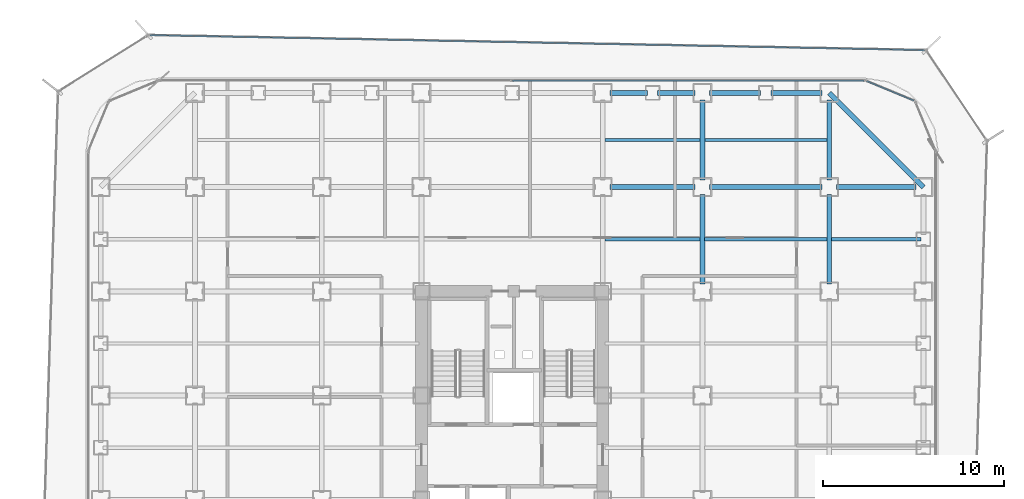
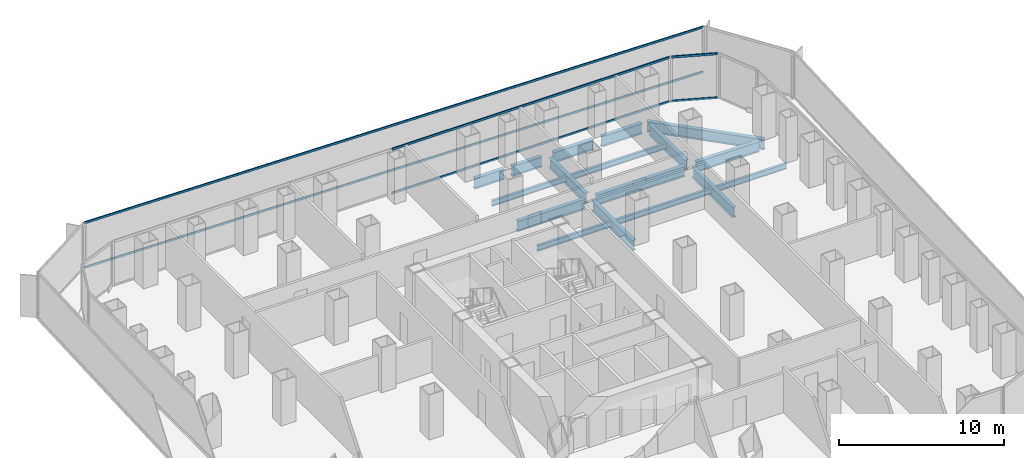
# One storey, part 14 of 22: 17 beams, 6 members, 3 elements without a shape of their own.
"""IFC4 building model written with IfcOpenShell, lengths in metres."""

from ifc_helpers import new_model, si_unit, direction, frame, origin, origin_2d, place, context, subcontext, project, spatial, hollow_rectangle, i_section, extrude, source, transform, mapped, material, layer, layer_set, material_profile, profile_set, type_object, element, aggregate, save


model = new_model("IFC4")

# Units and contexts
model_context = context("Model", 3, precision=1e-05, world=origin(), true_north=direction((0.0, 1.0)))
body_context = subcontext(model_context, "Body", "Model", "MODEL_VIEW")
ifc_project = project(units=[si_unit("LENGTHUNIT", "METRE"), si_unit("AREAUNIT", "SQUARE_METRE"), si_unit("VOLUMEUNIT", "CUBIC_METRE"), si_unit("PLANEANGLEUNIT", "RADIAN"), si_unit("MASSUNIT", "GRAM", prefix="KILO")], contexts=[model_context])

# Site, building, storey
site_placement = place(None, origin())
site = spatial("IfcSite", under=ifc_project, at=site_placement, CompositionType="ELEMENT")
building_placement = place(site_placement, origin())
building = spatial("IfcBuilding", under=site, at=building_placement, Name="Kolveth Station Tower", CompositionType="ELEMENT")
storey_placement = place(building_placement, frame((0.0, 0.0, 69.300048828125)))
storey = spatial("IfcBuildingStorey", under=building, at=storey_placement, Name="L18", CompositionType="ELEMENT", Elevation=69.300048828125)

# Beams
ifc_material_1 = material(Name="Steel S355", Category="steel")
ifc_material_profile_1 = material_profile(ifc_material_1, i_section(OverallWidth=0.26904296875, OverallDepth=0.77490234375, WebThickness=0.01708984375, FlangeThickness=0.0283203125, at=origin_2d()), Name="W760x220")
ifc_profile_set_1 = profile_set([ifc_material_profile_1], Name="Steel S355")
beam_type_1 = type_object("IfcBeamType", Name="Beam_SP1", PredefinedType="SPANDREL", material=ifc_profile_set_1)
shared_shape_1 = source(origin(), body_context, "Body", "SweptSolid", [
    extrude(i_section(OverallWidth=0.26904296875, OverallDepth=0.77490234375, WebThickness=0.01708984375, FlangeThickness=0.0283203125, at=origin_2d()), origin(), (0.0, 0.0, 1.0), 7.353759765625),
])
beam_1_placement = place(storey_placement, frame((46.199951171875, 34.5, -0.66748046875), z_axis=(-0.707106781187, 0.707106781187, 0.0), x_axis=(-0.707106781187, -0.707106781187, 0.0)))
element("IfcBeam", 1, at=beam_1_placement, inside=storey, type_object=beam_type_1, Name="L18 Corner Edge Girder BM-L18-CNR-NE", PredefinedType="SPANDREL", context=body_context, shape_type="MappedRepresentation", body=[
    mapped(shared_shape_1, transform((0.0, 0.0, 0.0), x_axis=(1.0, 0.0, 0.0), y_axis=(0.0, 1.0, 0.0), z_axis=(0.0, 0.0, 1.0), scale=1.0)),
])
shared_shape_2 = source(origin(), body_context, "Body", "SweptSolid", [
    extrude(i_section(OverallWidth=0.26904296875, OverallDepth=0.77490234375, WebThickness=0.01708984375, FlangeThickness=0.0283203125, at=origin_2d()), origin(), (0.0, 0.0, 1.0), 2.820068359375),
])
for number, where, z_axis, x_axis, name in (
    (2, (34.39990234375, 39.699951171875, -0.66748046875), (1.0, 0.0, 0.0), (0.0, 1.0, 0.0), "L18 Perimeter Spandrel BM-L18-PN-9"),
    (3, (37.780029296875, 39.699951171875, -0.66748046875), (1.0, 0.0, 0.0), (0.0, 1.0, 0.0), "L18 Perimeter Spandrel BM-L18-PN-10"),
):
    element("IfcBeam", number, at=place(storey_placement, frame(where, z_axis=z_axis, x_axis=x_axis)), inside=storey, type_object=beam_type_1, Name=name, PredefinedType="SPANDREL", context=body_context, shape_type="MappedRepresentation", body=[
        mapped(shared_shape_2, transform((0.0, 0.0, 0.0), x_axis=(1.0, 0.0, 0.0), y_axis=(0.0, 1.0, 0.0), z_axis=(0.0, 0.0, 1.0), scale=1.0)),
    ])
shared_shape_3 = source(origin(), body_context, "Body", "SweptSolid", [
    extrude(i_section(OverallWidth=0.26904296875, OverallDepth=0.77490234375, WebThickness=0.01708984375, FlangeThickness=0.0283203125, at=origin_2d()), origin(), (0.0, 0.0, 1.0), 2.070068359375),
])
for number, where, z_axis, x_axis, name in (
    (4, (28.89990234375, 39.699951171875, -0.66748046875), (1.0, 0.0, 0.0), (0.0, 1.0, 0.0), "L18 Perimeter Spandrel BM-L18-PN-7"),
    (5, (31.530029296875, 39.699951171875, -0.66748046875), (1.0, 0.0, 0.0), (0.0, 1.0, 0.0), "L18 Perimeter Spandrel BM-L18-PN-8"),
):
    element("IfcBeam", number, at=place(storey_placement, frame(where, z_axis=z_axis, x_axis=x_axis)), inside=storey, type_object=beam_type_1, Name=name, PredefinedType="SPANDREL", context=body_context, shape_type="MappedRepresentation", body=[
        mapped(shared_shape_3, transform((0.0, 0.0, 0.0), x_axis=(1.0, 0.0, 0.0), y_axis=(0.0, 1.0, 0.0), z_axis=(0.0, 0.0, 1.0), scale=1.0)),
    ])
ifc_material_profile_2 = material_profile(ifc_material_1, i_section(OverallWidth=0.26708984375, OverallDepth=0.76611328125, WebThickness=0.014892578125, FlangeThickness=0.023681640625, at=origin_2d()), Name="W760x185")
ifc_profile_set_2 = profile_set([ifc_material_profile_2], Name="Steel S355")
beam_type_2 = type_object("IfcBeamType", Name="Beam_B3", PredefinedType="BEAM", material=ifc_profile_set_2)
shared_shape_4 = source(origin(), body_context, "Body", "SweptSolid", [
    extrude(i_section(OverallWidth=0.26708984375, OverallDepth=0.76611328125, WebThickness=0.014892578125, FlangeThickness=0.023681640625, at=origin_2d()), origin(), (0.0, 0.0, 1.0), 4.400146484375),
])
for number, where, z_axis, x_axis, name in (
    (6, (41.39990234375, 34.5, -0.6630859375), (1.0, 0.0, 0.0), (0.0, 1.0, 0.0), "L18 Primary Girder BM-L18-GY345-7"),
    (7, (34.0, 34.89990234375, -0.6630859375), (0.0, 1.0, 0.0), (-1.0, 0.0, 0.0), "L18 Primary Girder BM-L18-GX340-7"),
    (8, (41.0, 34.89990234375, -0.6630859375), (0.0, 1.0, 0.0), (-1.0, 0.0, 0.0), "L18 Primary Girder BM-L18-GX410-7"),
):
    element("IfcBeam", number, at=place(storey_placement, frame(where, z_axis=z_axis, x_axis=x_axis)), inside=storey, type_object=beam_type_2, Name=name, PredefinedType="BEAM", context=body_context, shape_type="MappedRepresentation", body=[
        mapped(shared_shape_4, transform((0.0, 0.0, 0.0), x_axis=(1.0, 0.0, 0.0), y_axis=(0.0, 1.0, 0.0), z_axis=(0.0, 0.0, 1.0), scale=1.0)),
    ])
shared_shape_5 = source(origin(), body_context, "Body", "SweptSolid", [
    extrude(i_section(OverallWidth=0.26708984375, OverallDepth=0.76611328125, WebThickness=0.014892578125, FlangeThickness=0.023681640625, at=origin_2d()), origin(), (0.0, 0.0, 1.0), 6.2001953125),
])
beam_2_placement = place(storey_placement, frame((34.39990234375, 34.5, -0.6630859375), z_axis=(1.0, 0.0, 0.0), x_axis=(0.0, 1.0, 0.0)))
element("IfcBeam", 9, at=beam_2_placement, inside=storey, type_object=beam_type_2, Name="L18 Primary Girder BM-L18-GY345-6", PredefinedType="BEAM", context=body_context, shape_type="MappedRepresentation", body=[
    mapped(shared_shape_5, transform((0.0, 0.0, 0.0), x_axis=(1.0, 0.0, 0.0), y_axis=(0.0, 1.0, 0.0), z_axis=(0.0, 0.0, 1.0), scale=1.0)),
])
shared_shape_6 = source(origin(), body_context, "Body", "SweptSolid", [
    extrude(i_section(OverallWidth=0.26708984375, OverallDepth=0.76611328125, WebThickness=0.014892578125, FlangeThickness=0.023681640625, at=origin_2d()), origin(), (0.0, 0.0, 1.0), 4.7001953125),
])
beam_3_placement = place(storey_placement, frame((28.89990234375, 34.5, -0.6630859375), z_axis=(1.0, 0.0, 0.0), x_axis=(0.0, 1.0, 0.0)))
element("IfcBeam", 10, at=beam_3_placement, inside=storey, type_object=beam_type_2, Name="L18 Primary Girder BM-L18-GY345-5", PredefinedType="BEAM", context=body_context, shape_type="MappedRepresentation", body=[
    mapped(shared_shape_6, transform((0.0, 0.0, 0.0), x_axis=(1.0, 0.0, 0.0), y_axis=(0.0, 1.0, 0.0), z_axis=(0.0, 0.0, 1.0), scale=1.0)),
])
shared_shape_7 = source(origin(), body_context, "Body", "SweptSolid", [
    extrude(i_section(OverallWidth=0.26708984375, OverallDepth=0.76611328125, WebThickness=0.014892578125, FlangeThickness=0.023681640625, at=origin_2d()), origin(), (0.0, 0.0, 1.0), 4.9501953125),
])
for number, where, z_axis, x_axis, name in (
    (11, (34.0, 29.14990234375, -0.6630859375), (0.0, 1.0, 0.0), (-1.0, 0.0, 0.0), "L18 Primary Girder BM-L18-GX340-6"),
    (12, (41.0, 29.14990234375, -0.6630859375), (0.0, 1.0, 0.0), (-1.0, 0.0, 0.0), "L18 Primary Girder BM-L18-GX410-6"),
):
    element("IfcBeam", number, at=place(storey_placement, frame(where, z_axis=z_axis, x_axis=x_axis)), inside=storey, type_object=beam_type_2, Name=name, PredefinedType="BEAM", context=body_context, shape_type="MappedRepresentation", body=[
        mapped(shared_shape_7, transform((0.0, 0.0, 0.0), x_axis=(1.0, 0.0, 0.0), y_axis=(0.0, 1.0, 0.0), z_axis=(0.0, 0.0, 1.0), scale=1.0)),
    ])
ifc_material_profile_3 = material_profile(ifc_material_1, i_section(OverallWidth=0.177978515625, OverallDepth=0.406982421875, WebThickness=0.0078125, FlangeThickness=0.0126953125, at=origin_2d()), Name="W410x60")
ifc_profile_set_3 = profile_set([ifc_material_profile_3], Name="Steel S355")
beam_type_3 = type_object("IfcBeamType", Name="Beam_J1", PredefinedType="JOIST", material=ifc_profile_set_3)
shared_shape_8 = source(origin(), body_context, "Body", "SweptSolid", [
    extrude(i_section(OverallWidth=0.177978515625, OverallDepth=0.406982421875, WebThickness=0.0078125, FlangeThickness=0.0126953125, at=origin_2d()), origin(), (0.0, 0.0, 1.0), 4.935791015625),
])
beam_4_placement = place(storey_placement, frame((41.131591796875, 31.625, -0.483642578125), z_axis=(1.0, 0.0, 0.0), x_axis=(0.0, 1.0, 0.0)))
element("IfcBeam", 13, at=beam_4_placement, inside=storey, type_object=beam_type_3, Name="L18 Secondary Joist JST-L18-7-6", PredefinedType="JOIST", context=body_context, shape_type="MappedRepresentation", body=[
    mapped(shared_shape_8, transform((0.0, 0.0, 0.0), x_axis=(1.0, 0.0, 0.0), y_axis=(0.0, 1.0, 0.0), z_axis=(0.0, 0.0, 1.0), scale=1.0)),
])
shared_shape_9 = source(origin(), body_context, "Body", "SweptSolid", [
    extrude(i_section(OverallWidth=0.177978515625, OverallDepth=0.406982421875, WebThickness=0.0078125, FlangeThickness=0.0126953125, at=origin_2d()), origin(), (0.0, 0.0, 1.0), 6.73681640625),
])
for number, where, z_axis, x_axis, name in (
    (14, (34.131591796875, 31.625, -0.483642578125), (1.0, 0.0, 0.0), (0.0, 1.0, 0.0), "L18 Secondary Joist JST-L18-6-6"),
    (15, (34.131591796875, 37.10009765625, -0.483642578125), (1.0, 0.0, 0.0), (0.0, 1.0, 0.0), "L18 Secondary Joist JST-L18-6-7"),
):
    element("IfcBeam", number, at=place(storey_placement, frame(where, z_axis=z_axis, x_axis=x_axis)), inside=storey, type_object=beam_type_3, Name=name, PredefinedType="JOIST", context=body_context, shape_type="MappedRepresentation", body=[
        mapped(shared_shape_9, transform((0.0, 0.0, 0.0), x_axis=(1.0, 0.0, 0.0), y_axis=(0.0, 1.0, 0.0), z_axis=(0.0, 0.0, 1.0), scale=1.0)),
    ])
shared_shape_10 = source(origin(), body_context, "Body", "SweptSolid", [
    extrude(i_section(OverallWidth=0.177978515625, OverallDepth=0.406982421875, WebThickness=0.0078125, FlangeThickness=0.0126953125, at=origin_2d()), origin(), (0.0, 0.0, 1.0), 5.23681640625),
])
for number, where, z_axis, x_axis, name in (
    (16, (28.631591796875, 31.625, -0.483642578125), (1.0, 0.0, 0.0), (0.0, 1.0, 0.0), "L18 Secondary Joist JST-L18-5-6"),
    (17, (28.631591796875, 37.10009765625, -0.483642578125), (1.0, 0.0, 0.0), (0.0, 1.0, 0.0), "L18 Secondary Joist JST-L18-5-7"),
):
    element("IfcBeam", number, at=place(storey_placement, frame(where, z_axis=z_axis, x_axis=x_axis)), inside=storey, type_object=beam_type_3, Name=name, PredefinedType="JOIST", context=body_context, shape_type="MappedRepresentation", body=[
        mapped(shared_shape_10, transform((0.0, 0.0, 0.0), x_axis=(1.0, 0.0, 0.0), y_axis=(0.0, 1.0, 0.0), z_axis=(0.0, 0.0, 1.0), scale=1.0)),
    ])

# Curtain wall, members
ifc_material_2 = material(Name="Aluminium 6063-T6 and low-E dark glass", Category="aluminium")
ifc_layer_1 = layer(ifc_material_2, 0.179931640625)
ifc_layer_set_1 = layer_set([ifc_layer_1], Name="Aluminium 6063-T6 and low-E dark glass")
curtain_wall_type_1 = type_object("IfcCurtainWallType", Name="CurtainWall_CW-Z1", PredefinedType="NOTDEFINED", material=ifc_layer_set_1)
curtain_wall_1_placement = place(storey_placement, origin())
curtain_wall_1 = element("IfcCurtainWall", 18, at=curtain_wall_1_placement, inside=storey, type_object=curtain_wall_type_1, Name="L18 Inner Thermal Curtain Wall 5", PredefinedType="NOTDEFINED")
ifc_material_3 = material(Name="Black anodized aluminium 6063-T6", Category="aluminium")
ifc_material_profile_4 = material_profile(ifc_material_3, hollow_rectangle(XDim=0.074951171875, YDim=0.159912109375, WallThickness=0.0048828125, at=origin_2d()), Name="ALU-75x160x5")
ifc_profile_set_4 = profile_set([ifc_material_profile_4], Name="Black anodized aluminium 6063-T6")
member_type_1 = type_object("IfcMemberType", Name="Transom_TR1", PredefinedType="USERDEFINED", material=ifc_profile_set_4)
shared_shape_11 = source(origin(), body_context, "Body", "SweptSolid", [
    extrude(hollow_rectangle(XDim=0.074951171875, YDim=0.159912109375, WallThickness=0.0048828125, at=origin_2d()), origin(), (0.0, 0.0, 1.0), 2.819580078125),
])
member_1_placement = place(storey_placement, frame((45.67431640625, 39.272216796875, 0.037353515625), z_axis=(-0.923869084389, 0.382708655389, 0.0), x_axis=(-0.382708655389, -0.923869084389, 0.0)))
member_1 = element("IfcMember", 19, at=member_1_placement, type_object=member_type_1, Name="CW-Z1 transom 1.1", ObjectType="TRANSOM", PredefinedType="USERDEFINED", context=body_context, shape_type="MappedRepresentation", body=[
    mapped(shared_shape_11, transform((0.0, 0.0, 0.0), x_axis=(1.0, 0.0, 0.0), y_axis=(0.0, 1.0, 0.0), z_axis=(0.0, 0.0, 1.0), scale=1.0)),
])
member_2_placement = place(storey_placement, frame((45.67431640625, 39.272216796875, 3.282470703125), z_axis=(-0.923869084389, 0.382708655389, 0.0), x_axis=(-0.382708655389, -0.923869084389, 0.0)))
member_2 = element("IfcMember", 20, at=member_2_placement, type_object=member_type_1, Name="CW-Z1 transom 1.2", ObjectType="TRANSOM", PredefinedType="USERDEFINED", context=body_context, shape_type="MappedRepresentation", body=[
    mapped(shared_shape_11, transform((0.0, 0.0, 0.0), x_axis=(1.0, 0.0, 0.0), y_axis=(0.0, 1.0, 0.0), z_axis=(0.0, 0.0, 1.0), scale=1.0)),
])
aggregate(curtain_wall_1, [member_1, member_2])

curtain_wall_2_placement = place(storey_placement, origin())
curtain_wall_2 = element("IfcCurtainWall", 21, at=curtain_wall_2_placement, inside=storey, type_object=curtain_wall_type_1, Name="L18 Inner Thermal Curtain Wall 6", PredefinedType="NOTDEFINED")
shared_shape_12 = source(origin(), body_context, "Body", "SweptSolid", [
    extrude(hollow_rectangle(XDim=0.074951171875, YDim=0.159912109375, WallThickness=0.0048828125, at=origin_2d()), origin(), (0.0, 0.0, 1.0), 19.387451171875),
])
member_3_placement = place(storey_placement, frame((42.925048828125, 40.3798828125, 0.037353515625), z_axis=(-1.0, 0.0, 0.0), x_axis=(0.0, -1.0, 0.0)))
member_3 = element("IfcMember", 22, at=member_3_placement, type_object=member_type_1, Name="CW-Z1 transom 1.1", ObjectType="TRANSOM", PredefinedType="USERDEFINED", context=body_context, shape_type="MappedRepresentation", body=[
    mapped(shared_shape_12, transform((0.0, 0.0, 0.0), x_axis=(1.0, 0.0, 0.0), y_axis=(0.0, 1.0, 0.0), z_axis=(0.0, 0.0, 1.0), scale=1.0)),
])
member_4_placement = place(storey_placement, frame((42.925048828125, 40.3798828125, 3.282470703125), z_axis=(-1.0, 0.0, 0.0), x_axis=(0.0, -1.0, 0.0)))
member_4 = element("IfcMember", 23, at=member_4_placement, type_object=member_type_1, Name="CW-Z1 transom 1.2", ObjectType="TRANSOM", PredefinedType="USERDEFINED", context=body_context, shape_type="MappedRepresentation", body=[
    mapped(shared_shape_12, transform((0.0, 0.0, 0.0), x_axis=(1.0, 0.0, 0.0), y_axis=(0.0, 1.0, 0.0), z_axis=(0.0, 0.0, 1.0), scale=1.0)),
])
aggregate(curtain_wall_2, [member_3, member_4])

ifc_material_4 = material(Name="Black anodized aluminium 6063-T6 and dark solar glass", Category="aluminium")
ifc_layer_2 = layer(ifc_material_4, 0.159912109375)
ifc_layer_set_2 = layer_set([ifc_layer_2], Name="Black anodized aluminium 6063-T6 and dark solar glass")
curtain_wall_type_2 = type_object("IfcCurtainWallType", Name="OUTER SKIN CW-OS", PredefinedType="NOTDEFINED", material=ifc_layer_set_2)
curtain_wall_3_placement = place(storey_placement, origin())
curtain_wall_3 = element("IfcCurtainWall", 24, at=curtain_wall_3_placement, inside=storey, type_object=curtain_wall_type_2, Name="L18 Outer Ventilated Skin Curtain Wall 4", PredefinedType="NOTDEFINED")
ifc_material_profile_5 = material_profile(ifc_material_3, hollow_rectangle(XDim=0.080078125, YDim=0.14990234375, WallThickness=0.0048828125, at=origin_2d()), Name="ALU-80x150x5")
ifc_profile_set_5 = profile_set([ifc_material_profile_5], Name="Black anodized aluminium 6063-T6")
member_type_2 = type_object("IfcMemberType", Name="Transom_TR-OS", PredefinedType="USERDEFINED", material=ifc_profile_set_5)
shared_shape_13 = source(origin(), body_context, "Body", "SweptSolid", [
    extrude(hollow_rectangle(XDim=0.080078125, YDim=0.14990234375, WallThickness=0.0048828125, at=origin_2d()), origin(), (0.0, 0.0, 1.0), 42.751953125),
])
member_5_placement = place(storey_placement, frame((46.26513671875, 42.059814453125, 0.0400390625), z_axis=(-0.999812595856, 0.019359059053, 0.0), x_axis=(-0.019359059053, -0.999812595856, 0.0)))
member_5 = element("IfcMember", 25, at=member_5_placement, type_object=member_type_2, Name="CW-OS transom 1.1", ObjectType="TRANSOM", PredefinedType="USERDEFINED", context=body_context, shape_type="MappedRepresentation", body=[
    mapped(shared_shape_13, transform((0.0, 0.0, 0.0), x_axis=(1.0, 0.0, 0.0), y_axis=(0.0, 1.0, 0.0), z_axis=(0.0, 0.0, 1.0), scale=1.0)),
])
member_6_placement = place(storey_placement, frame((46.26513671875, 42.059814453125, 3.349853515625), z_axis=(-0.999812595856, 0.019359059053, 0.0), x_axis=(-0.019359059053, -0.999812595856, 0.0)))
member_6 = element("IfcMember", 26, at=member_6_placement, type_object=member_type_2, Name="CW-OS transom 1.2", ObjectType="TRANSOM", PredefinedType="USERDEFINED", context=body_context, shape_type="MappedRepresentation", body=[
    mapped(shared_shape_13, transform((0.0, 0.0, 0.0), x_axis=(1.0, 0.0, 0.0), y_axis=(0.0, 1.0, 0.0), z_axis=(0.0, 0.0, 1.0), scale=1.0)),
])
aggregate(curtain_wall_3, [member_5, member_6])

save(model, "model.ifc")
